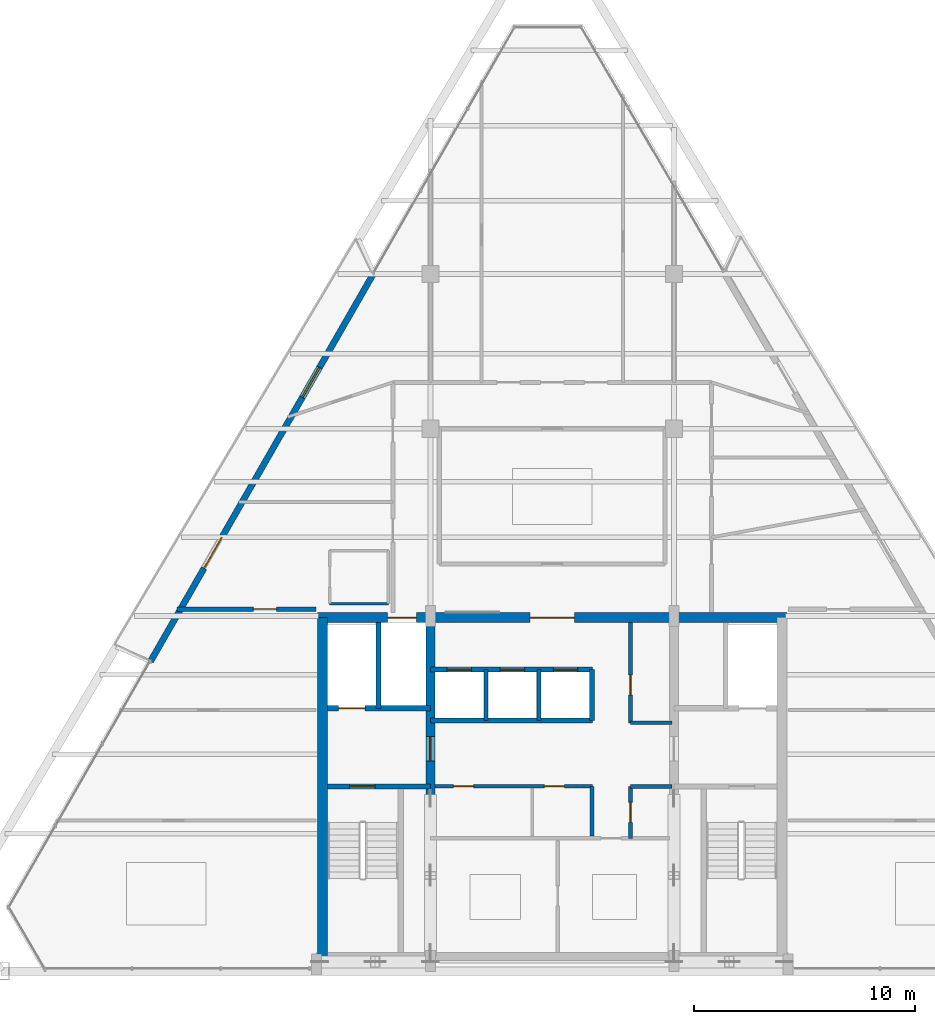
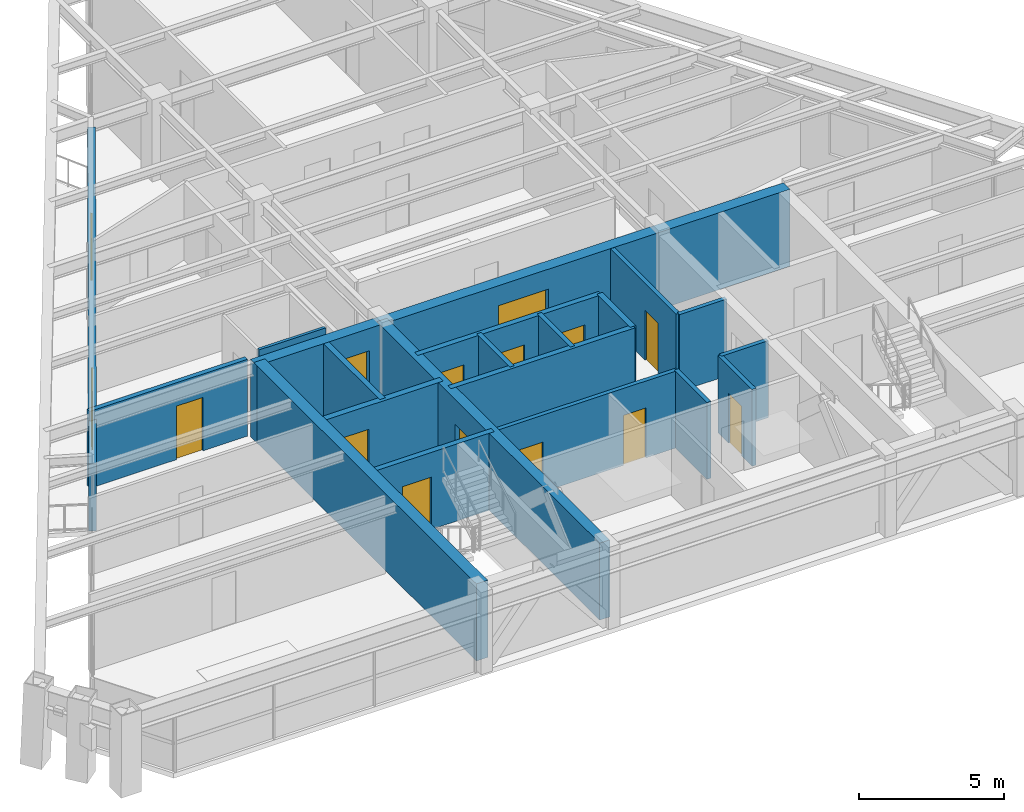
# One storey, part 9 of 13: 20 walls, 14 doors, 1 window, 15 openings.
"""IFC4 building model written with IfcOpenShell, lengths in metres."""

from ifc_helpers import new_model, si_unit, direction, frame, frame_2d, origin, place, context, subcontext, project, spatial, rectangle, extrude, source, transform, mapped, material, layer, layer_set, type_object, type_shapes, element, fill, save


model = new_model("IFC4")

# Units and contexts
model_context = context("Model", 3, precision=1e-05, world=origin(), true_north=direction((0.0, 1.0)))
body_context = subcontext(model_context, "Body", "Model", "MODEL_VIEW")
ifc_project = project(units=[si_unit("LENGTHUNIT", "METRE"), si_unit("AREAUNIT", "SQUARE_METRE"), si_unit("VOLUMEUNIT", "CUBIC_METRE"), si_unit("PLANEANGLEUNIT", "RADIAN"), si_unit("MASSUNIT", "GRAM", prefix="KILO")], contexts=[model_context])

# Site, building, storey
site_placement = place(None, origin())
site = spatial("IfcSite", under=ifc_project, at=site_placement, CompositionType="ELEMENT")
building_placement = place(site_placement, origin())
building = spatial("IfcBuilding", under=site, at=building_placement, Name="Varnakhor Terracotta Tower", CompositionType="ELEMENT")
storey_placement = place(building_placement, frame((0.0, 0.0, 286.800048828125)))
storey = spatial("IfcBuildingStorey", under=building, at=storey_placement, Name="L75", CompositionType="ELEMENT", Elevation=286.800048828125)

# Wall
ifc_material_1 = material(Name="Moisture-Resistant Tile-Backed Partition", Category="gypsum")
ifc_layer_1 = layer(ifc_material_1, 0.114990234375, Name="Moisture-Resistant Tile-Backed Partition")
ifc_layer_set_1 = layer_set([ifc_layer_1], Name="Moisture-Resistant Tile-Backed Partition")
wall_type_1 = type_object("IfcWallType", Name="WAL-BATH-115", PredefinedType="PARTITIONING", material=ifc_layer_set_1)
wall_1_placement = place(storey_placement, frame((-10.050048828125, 16.60009765625, 0.0), z_axis=(0.0, 0.0, 1.0), x_axis=(1.0, 0.0, 0.0)))
element("IfcWall", 1, at=wall_1_placement, inside=storey, type_object=wall_type_1, Name="L75 En-Suite 1 Wall S", PredefinedType="PARTITIONING", context=body_context, shape_type="SweptSolid", body=[
    extrude(rectangle(XDim=2.650146484375, YDim=0.114990234375, at=frame_2d((1.3251953125, 0.0))), origin(), (0.0, 0.0, 1.0), 3.23193359375),
])

# Wall, openings, doors
ifc_material_2 = material(Name="Concrete C50/60", Category="concrete")
ifc_layer_2 = layer(ifc_material_2, 0.449951171875, Name="Concrete C50/60")
ifc_layer_set_2 = layer_set([ifc_layer_2], Name="Concrete C50/60")
wall_type_2 = type_object("IfcWallType", Name="WAL-CORE-450", PredefinedType="SHEAR", material=ifc_layer_set_2)
wall_2_placement = place(storey_placement, frame((-10.60009765625, 15.97509765625, 0.0), z_axis=(0.0, 0.0, 1.0), x_axis=(1.0, 0.0, 0.0)))
wall_2 = element("IfcWall", 2, at=wall_2_placement, inside=storey, type_object=wall_type_2, Name="L75 North Core Shear Wall", PredefinedType="SHEAR", context=body_context, shape_type="SweptSolid", body=[
    extrude(rectangle(XDim=21.2001953125, YDim=0.449951171875, at=frame_2d((10.60009765625, 0.0))), origin(), (0.0, 0.0, 1.0), 3.239990234375),
])
opening_1_placement = place(wall_2_placement, frame((3.169921875, 0.0, 0.0)))
opening_1 = element("IfcOpeningElement", 3, at=opening_1_placement, cuts=wall_2, Name="Opening LD-03", PredefinedType="OPENING", context=body_context, shape_type="SweptSolid", body=[
    extrude(rectangle(XDim=1.300048828125, YDim=2.300048828125, at=frame_2d((0.64990234375, 1.14990234375))), frame((0.0, 0.23486328125, 0.0), z_axis=(0.0, -1.0, 0.0), x_axis=(1.0, 0.0, 0.0)), (0.0, 0.0, 1.0), 0.469970703125),
])
opening_2_placement = place(wall_2_placement, frame((9.60009765625, 0.0, 0.0)))
opening_2 = element("IfcOpeningElement", 4, at=opening_2_placement, cuts=wall_2, Name="Opening DR-32", PredefinedType="OPENING", context=body_context, shape_type="SweptSolid", body=[
    extrude(rectangle(XDim=2.0, YDim=2.39990234375, at=frame_2d((1.0, 1.199951171875))), frame((0.0, 0.23486328125, 0.0), z_axis=(0.0, -1.0, 0.0), x_axis=(1.0, 0.0, 0.0)), (0.0, 0.0, 1.0), 0.469970703125),
])
ifc_material_3 = material(Name="Heavy-Duty Goods Sliding Lift Landing Door", Category="steel")
door_type_1 = type_object("IfcDoorType", Name="LD-SRV-1300X2300", OperationType="NOTDEFINED", PredefinedType="DOOR", material=ifc_material_3)
shared_shape_1 = source(origin(), body_context, "Body", "SweptSolid", [
    extrude(rectangle(XDim=1.300048828125, YDim=2.300048828125, at=frame_2d((0.64990234375, 1.14990234375))), frame((0.0, 0.02490234375, 0.0), z_axis=(0.0, -1.0, 0.0), x_axis=(1.0, 0.0, 0.0)), (0.0, 0.0, 1.0), 0.050048828125),
])
type_shapes(door_type_1, [shared_shape_1])
door_1_placement = place(opening_1_placement, origin())
door_1 = element("IfcDoor", 5, at=door_1_placement, inside=storey, type_object=door_type_1, Name="L75 Service Lift SVL-1 Landing Door", OperationType="SLIDING_TO_RIGHT", OverallHeight=2.300048828125, OverallWidth=1.300048828125, PredefinedType="DOOR", context=body_context, shape_type="MappedRepresentation", body=[
    mapped(shared_shape_1, transform((0.0, 0.0, 0.0), scale=1.0)),
])
fill(opening_1, door_1)
ifc_material_4 = material(Name="Acoustic Double Assembly Fire Door", Category="wood")
door_type_2 = type_object("IfcDoorType", Name="DR-HALL-2000X2400", OperationType="NOTDEFINED", PredefinedType="DOOR", material=ifc_material_4)
shared_shape_2 = source(origin(), body_context, "Body", "SweptSolid", [
    extrude(rectangle(XDim=2.0, YDim=2.39990234375, at=frame_2d((1.0, 1.199951171875))), frame((0.0, 0.02490234375, 0.0), z_axis=(0.0, -1.0, 0.0), x_axis=(1.0, 0.0, 0.0)), (0.0, 0.0, 1.0), 0.050048828125),
])
type_shapes(door_type_2, [shared_shape_2])
door_2_placement = place(opening_2_placement, origin())
door_2 = element("IfcDoor", 6, at=door_2_placement, inside=storey, type_object=door_type_2, Name="L75 Core Main Lobby Double Door", OperationType="DOUBLE_DOOR_SINGLE_SWING", OverallHeight=2.39990234375, OverallWidth=2.0, PredefinedType="DOOR", context=body_context, shape_type="MappedRepresentation", body=[
    mapped(shared_shape_2, transform((0.0, 0.0, 0.0), scale=1.0)),
])
fill(opening_2, door_2)

# Wall
wall_3_placement = place(storey_placement, frame((-10.375, 0.625, 0.0), z_axis=(0.0, 0.0, 1.0), x_axis=(0.0, 1.0, 0.0)))
element("IfcWall", 7, at=wall_3_placement, inside=storey, type_object=wall_type_2, Name="L75 West Core Shear Wall", PredefinedType="SHEAR", context=body_context, shape_type="SweptSolid", body=[
    extrude(rectangle(XDim=15.35009765625, YDim=0.449951171875, at=frame_2d((7.675048828125, 0.0))), origin(), (0.0, 0.0, 1.0), 3.239990234375),
])

# Wall, opening, door
ifc_layer_3 = layer(ifc_material_2, 0.39990234375, Name="Concrete C50/60")
ifc_layer_set_3 = layer_set([ifc_layer_3], Name="Concrete C50/60")
wall_type_3 = type_object("IfcWallType", Name="WAL-CORE-WEB-400", PredefinedType="SHEAR", material=ifc_layer_set_3)
wall_4_placement = place(storey_placement, frame((-5.5, 0.625, 0.0), z_axis=(0.0, 0.0, 1.0), x_axis=(0.0, 1.0, 0.0)))
wall_4 = element("IfcWall", 8, at=wall_4_placement, inside=storey, type_object=wall_type_3, Name="L75 West Core Web Shear Wall", PredefinedType="SHEAR", context=body_context, shape_type="SweptSolid", body=[
    extrude(rectangle(XDim=15.35009765625, YDim=0.39990234375, at=frame_2d((7.675048828125, 0.0))), origin(), (0.0, 0.0, 1.0), 3.239990234375),
])
opening_3_placement = place(wall_4_placement, frame((8.875, 0.0, 0.0)))
opening_3 = element("IfcOpeningElement", 9, at=opening_3_placement, cuts=wall_4, Name="Opening DR-25", PredefinedType="OPENING", context=body_context, shape_type="SweptSolid", body=[
    extrude(rectangle(XDim=1.10009765625, YDim=2.199951171875, at=frame_2d((0.550048828125, 1.10009765625))), frame((0.0, 0.2099609375, 0.0), z_axis=(0.0, -1.0, 0.0), x_axis=(1.0, 0.0, 0.0)), (0.0, 0.0, 1.0), 0.419921875),
])
ifc_material_5 = material(Name="Firefighting Lobby Self-Closing Fire Door", Category="steel")
door_type_3 = type_object("IfcDoorType", Name="DR-FFL-1100X2200", OperationType="NOTDEFINED", PredefinedType="DOOR", material=ifc_material_5)
shared_shape_3 = source(origin(), body_context, "Body", "SweptSolid", [
    extrude(rectangle(XDim=1.10009765625, YDim=2.199951171875, at=frame_2d((0.550048828125, 1.10009765625))), frame((0.0, 0.02490234375, 0.0), z_axis=(0.0, -1.0, 0.0), x_axis=(1.0, 0.0, 0.0)), (0.0, 0.0, 1.0), 0.050048828125),
])
type_shapes(door_type_3, [shared_shape_3])
door_3_placement = place(opening_3_placement, origin())
door_3 = element("IfcDoor", 10, at=door_3_placement, inside=storey, type_object=door_type_3, Name="L75 West Firefighting Lobby Door", OperationType="SINGLE_SWING_LEFT", OverallHeight=2.199951171875, OverallWidth=1.10009765625, PredefinedType="DOOR", context=body_context, shape_type="MappedRepresentation", body=[
    mapped(shared_shape_3, transform((0.0, 0.0, 0.0), scale=1.0)),
])
fill(opening_3, door_3)

ifc_material_6 = material(Name="Fire-Rated Gypsum Stud Partition", Category="gypsum")
ifc_layer_4 = layer(ifc_material_6, 0.18505859375, Name="Fire-Rated Gypsum Stud Partition")
ifc_layer_set_4 = layer_set([ifc_layer_4], Name="Fire-Rated Gypsum Stud Partition")
wall_type_4 = type_object("IfcWallType", Name="WAL-CORR-185", PredefinedType="PARTITIONING", material=ifc_layer_set_4)
wall_5_placement = place(storey_placement, frame((-16.943115234375, 16.35009765625, 0.0), z_axis=(0.0, 0.0, 1.0), x_axis=(1.0, 0.0, 0.0)))
wall_5 = element("IfcWall", 11, at=wall_5_placement, inside=storey, type_object=wall_type_4, Name="L75 South West Guest Entry Wall", PredefinedType="PARTITIONING", context=body_context, shape_type="SweptSolid", body=[
    extrude(rectangle(XDim=6.26318359375, YDim=0.18505859375, at=frame_2d((3.131591796875, 0.0))), origin(), (0.0, 0.0, 1.0), 3.23193359375),
])
opening_4_placement = place(wall_5_placement, frame((3.444091796875, 0.0, 0.0)))
opening_4 = element("IfcOpeningElement", 12, at=opening_4_placement, cuts=wall_5, Name="Opening DR-95", PredefinedType="OPENING", context=body_context, shape_type="SweptSolid", body=[
    extrude(rectangle(XDim=1.050048828125, YDim=2.25, at=frame_2d((0.52490234375, 1.125))), frame((0.0, 0.1025390625, 0.0), z_axis=(0.0, -1.0, 0.0), x_axis=(1.0, 0.0, 0.0)), (0.0, 0.0, 1.0), 0.205078125),
])
ifc_material_7 = material(Name="Solid-Core Timber Tenant/Hotel Entrance Door", Category="wood")
door_type_4 = type_object("IfcDoorType", Name="DR-SUITE-1050X2250", OperationType="NOTDEFINED", PredefinedType="DOOR", material=ifc_material_7)
shared_shape_4 = source(origin(), body_context, "Body", "SweptSolid", [
    extrude(rectangle(XDim=1.050048828125, YDim=2.25, at=frame_2d((0.52490234375, 1.125))), frame((0.0, 0.02490234375, 0.0), z_axis=(0.0, -1.0, 0.0), x_axis=(1.0, 0.0, 0.0)), (0.0, 0.0, 1.0), 0.050048828125),
])
type_shapes(door_type_4, [shared_shape_4])
door_4_placement = place(opening_4_placement, origin())
door_4 = element("IfcDoor", 13, at=door_4_placement, inside=storey, type_object=door_type_4, Name="L75 SW Suite Entry Door", OperationType="SINGLE_SWING_RIGHT", OverallHeight=2.25, OverallWidth=1.050048828125, PredefinedType="DOOR", context=body_context, shape_type="MappedRepresentation", body=[
    mapped(shared_shape_4, transform((0.0, 0.0, 0.0), scale=1.0)),
])
fill(opening_4, door_4)

# Wall, openings, door, window
ifc_material_8 = material(Name="Extruded Architectural Terracotta Assembly", Category="masonry")
ifc_layer_5 = layer(ifc_material_8, 0.280029296875, Name="Extruded Architectural Terracotta Assembly")
ifc_layer_set_5 = layer_set([ifc_layer_5], Name="Extruded Architectural Terracotta Assembly")
wall_type_5 = type_object("IfcWallType", Name="WAL-EXT-TERRACOTTA-280", PredefinedType="SOLIDWALL", material=ifc_layer_set_5)
wall_6_placement = place(storey_placement, frame((-18.1484375, 13.993408203125, 0.0), z_axis=(0.0, 0.0, 1.0), x_axis=(0.498516004102, 0.866880495601, 0.0)))
wall_6 = element("IfcWall", 14, at=wall_6_placement, inside=storey, type_object=wall_type_5, Name="L75 W Loggia Insulated Terracotta Wall", PredefinedType="SOLIDWALL", context=body_context, shape_type="SweptSolid", body=[
    extrude(rectangle(XDim=20.236328125, YDim=0.280029296875, at=frame_2d((10.1181640625, 0.0))), origin(), (0.0, 0.0, 1.0), 2.820068359375),
])
opening_5_placement = place(wall_6_placement, frame((4.856689453125, 0.0, 0.0)))
opening_5 = element("IfcOpeningElement", 15, at=opening_5_placement, cuts=wall_6, Name="Opening DR-62", PredefinedType="OPENING", context=body_context, shape_type="SweptSolid", body=[
    extrude(rectangle(XDim=1.60009765625, YDim=2.35009765625, at=frame_2d((0.800048828125, 1.175048828125))), frame((0.0, 0.14990234375, 0.0), z_axis=(0.0, -1.0, 0.0), x_axis=(1.0, 0.0, 0.0)), (0.0, 0.0, 1.0), 0.300048828125),
])
opening_6_placement = place(wall_6_placement, frame((13.760986328125, 0.0, 0.89990234375)))
opening_6 = element("IfcOpeningElement", 16, at=opening_6_placement, cuts=wall_6, Name="Opening WN-59", PredefinedType="OPENING", context=body_context, shape_type="SweptSolid", body=[
    extrude(rectangle(XDim=1.550048828125, YDim=1.75, at=frame_2d((0.77490234375, 0.875))), frame((0.0, 0.14990234375, 0.0), z_axis=(0.0, -1.0, 0.0), x_axis=(1.0, 0.0, 0.0)), (0.0, 0.0, 1.0), 0.300048828125),
])
ifc_material_9 = material(Name="Thermally Broken Sliding Glass Loggia Door", Category="glass")
door_type_5 = type_object("IfcDoorType", Name="DR-EXT-LOGGIA-1600X2350", OperationType="NOTDEFINED", PredefinedType="DOOR", material=ifc_material_9)
shared_shape_5 = source(origin(), body_context, "Body", "SweptSolid", [
    extrude(rectangle(XDim=1.60009765625, YDim=2.35009765625, at=frame_2d((0.800048828125, 1.175048828125))), frame((0.0, 0.02490234375, 0.0), z_axis=(0.0, -1.0, 0.0), x_axis=(1.0, 0.0, 0.0)), (0.0, 0.0, 1.0), 0.050048828125),
])
type_shapes(door_type_5, [shared_shape_5])
door_5_placement = place(opening_5_placement, origin())
door_5 = element("IfcDoor", 17, at=door_5_placement, inside=storey, type_object=door_type_5, Name="L75 W Recessed Loggia Sliding Door", OperationType="SLIDING_TO_LEFT", OverallHeight=2.35009765625, OverallWidth=1.60009765625, PredefinedType="DOOR", context=body_context, shape_type="MappedRepresentation", body=[
    mapped(shared_shape_5, transform((0.0, 0.0, 0.0), scale=1.0)),
])
fill(opening_5, door_5)
ifc_material_10 = material(Name="Solar-Control Low-E Insulated Glass Unit", Category="glass")
window_type = type_object("IfcWindowType", Name="WIN-HTL-1500X1950", PartitioningType="SINGLE_PANEL", PredefinedType="WINDOW", material=ifc_material_10)
shared_shape_6 = source(origin(), body_context, "Body", "SweptSolid", [
    extrude(rectangle(XDim=1.550048828125, YDim=1.75, at=frame_2d((0.77490234375, 0.875))), frame((0.0, 0.030029296875, 0.0), z_axis=(0.0, -1.0, 0.0), x_axis=(1.0, 0.0, 0.0)), (0.0, 0.0, 1.0), 0.06005859375),
])
type_shapes(window_type, [shared_shape_6])
window_placement = place(opening_6_placement, origin())
window = element("IfcWindow", 18, at=window_placement, inside=storey, type_object=window_type, Name="L75 W Facet Punched Window", OverallHeight=1.75, OverallWidth=1.550048828125, PartitioningType="SINGLE_PANEL", PredefinedType="WINDOW", context=body_context, shape_type="MappedRepresentation", body=[
    mapped(shared_shape_6, transform((0.0, 0.0, 0.0), scale=1.0)),
])
fill(opening_6, window)

# Wall, opening, door
ifc_material_11 = material(Name="Concrete C40/50", Category="concrete")
ifc_layer_6 = layer(ifc_material_11, 0.219970703125, Name="Concrete C40/50")
ifc_layer_set_6 = layer_set([ifc_layer_6], Name="Concrete C40/50")
wall_type_6 = type_object("IfcWallType", Name="WAL-FFLOBBY-220", PredefinedType="SOLIDWALL", material=ifc_layer_set_6)
wall_7_placement = place(storey_placement, frame((-5.5, 8.35009765625, 0.0), z_axis=(0.0, 0.0, 1.0), x_axis=(-1.0, 0.0, 0.0)))
wall_7 = element("IfcWall", 19, at=wall_7_placement, inside=storey, type_object=wall_type_6, Name="L75 West Firefighting Lobby Stair Wall", PredefinedType="SOLIDWALL", context=body_context, shape_type="SweptSolid", body=[
    extrude(rectangle(XDim=4.64990234375, YDim=0.219970703125, at=frame_2d((2.324951171875, 0.0))), origin(), (0.0, 0.0, 1.0), 3.239990234375),
])
opening_7_placement = place(wall_7_placement, frame((2.5, 0.0, 0.0)))
opening_7 = element("IfcOpeningElement", 20, at=opening_7_placement, cuts=wall_7, Name="Opening DR-34", PredefinedType="OPENING", context=body_context, shape_type="SweptSolid", body=[
    extrude(rectangle(XDim=1.14990234375, YDim=2.199951171875, at=frame_2d((0.574951171875, 1.10009765625))), frame((0.0, 0.1201171875, 0.0), z_axis=(0.0, -1.0, 0.0), x_axis=(1.0, 0.0, 0.0)), (0.0, 0.0, 1.0), 0.239990234375),
])
ifc_material_12 = material(Name="Self-Closing Smoke-Sealed Steel Fire Door", Category="steel")
door_type_6 = type_object("IfcDoorType", Name="DR-STAIR-1150X2200", OperationType="NOTDEFINED", PredefinedType="DOOR", material=ifc_material_12)
shared_shape_7 = source(origin(), body_context, "Body", "SweptSolid", [
    extrude(rectangle(XDim=1.14990234375, YDim=2.199951171875, at=frame_2d((0.574951171875, 1.10009765625))), frame((0.0, 0.02490234375, 0.0), z_axis=(0.0, -1.0, 0.0), x_axis=(1.0, 0.0, 0.0)), (0.0, 0.0, 1.0), 0.050048828125),
])
type_shapes(door_type_6, [shared_shape_7])
door_6_placement = place(opening_7_placement, origin())
door_6 = element("IfcDoor", 21, at=door_6_placement, inside=storey, type_object=door_type_6, Name="L75 Exit Stair ST-1 Fire Door", OperationType="SINGLE_SWING_RIGHT", OverallHeight=2.199951171875, OverallWidth=1.14990234375, PredefinedType="DOOR", context=body_context, shape_type="MappedRepresentation", body=[
    mapped(shared_shape_7, transform((0.0, 0.0, 0.0), scale=1.0)),
])
fill(opening_7, door_6)

# Walls
ifc_layer_7 = layer(ifc_material_11, 0.179931640625, Name="Concrete C40/50")
ifc_layer_set_7 = layer_set([ifc_layer_7], Name="Concrete C40/50")
wall_type_7 = type_object("IfcWallType", Name="WAL-SHAFT-180", PredefinedType="SOLIDWALL", material=ifc_layer_set_7)
for number, where, z_axis, x_axis, name in (
    (22, (-3.0, 11.320068359375, 0.0), (0.0, 0.0, 1.0), (0.0, 1.0, 0.0), "L75 PL-3A Divider"),
    (23, (-0.60009765625, 11.320068359375, 0.0), (0.0, 0.0, 1.0), (0.0, 1.0, 0.0), "L75 PL-3B Divider"),
):
    element("IfcWall", number, at=place(storey_placement, frame(where, z_axis=z_axis, x_axis=x_axis)), inside=storey, type_object=wall_type_7, Name=name, PredefinedType="SOLIDWALL", context=body_context, shape_type="SweptSolid", body=[
        extrude(rectangle(XDim=2.300048828125, YDim=0.179931640625, at=frame_2d((1.14990234375, 0.0))), origin(), (0.0, 0.0, 1.0), 3.239990234375),
    ])
ifc_layer_8 = layer(ifc_material_11, 0.219970703125, Name="Concrete C40/50")
ifc_layer_set_8 = layer_set([ifc_layer_8], Name="Concrete C40/50")
wall_type_8 = type_object("IfcWallType", Name="WAL-SHAFT-220", PredefinedType="SOLIDWALL", material=ifc_layer_set_8)
wall_8_placement = place(storey_placement, frame((-7.840087890625, 11.8701171875, 0.0), z_axis=(0.0, 0.0, 1.0), x_axis=(0.0, 1.0, 0.0)))
element("IfcWall", 24, at=wall_8_placement, inside=storey, type_object=wall_type_8, Name="L75 Lift FFL-1 and SVL-1 Divider Wall", PredefinedType="SOLIDWALL", context=body_context, shape_type="SweptSolid", body=[
    extrude(rectangle(XDim=3.8798828125, YDim=0.219970703125, at=frame_2d((1.93994140625, 0.0))), origin(), (0.0, 0.0, 1.0), 3.239990234375),
])
wall_9_placement = place(storey_placement, frame((-5.5, 11.320068359375, 0.0), z_axis=(0.0, 0.0, 1.0), x_axis=(1.0, 0.0, 0.0)))
element("IfcWall", 25, at=wall_9_placement, inside=storey, type_object=wall_type_8, Name="L75 Bank 3 South Shaft Wall", PredefinedType="SOLIDWALL", context=body_context, shape_type="SweptSolid", body=[
    extrude(rectangle(XDim=7.320068359375, YDim=0.219970703125, at=frame_2d((3.66015625, 0.0))), origin(), (0.0, 0.0, 1.0), 3.239990234375),
])

# Wall, openings, doors
wall_10_placement = place(storey_placement, frame((-5.5, 13.6201171875, 0.0), z_axis=(0.0, 0.0, 1.0), x_axis=(1.0, 0.0, 0.0)))
wall_10 = element("IfcWall", 26, at=wall_10_placement, inside=storey, type_object=wall_type_8, Name="L75 Bank 3 North Shaft Wall", PredefinedType="SOLIDWALL", context=body_context, shape_type="SweptSolid", body=[
    extrude(rectangle(XDim=7.320068359375, YDim=0.219970703125, at=frame_2d((3.66015625, 0.0))), origin(), (0.0, 0.0, 1.0), 3.239990234375),
])
opening_8_placement = place(wall_10_placement, frame((0.75, 0.0, 0.0)))
opening_8 = element("IfcOpeningElement", 27, at=opening_8_placement, cuts=wall_10, Name="Opening LD-01", PredefinedType="OPENING", context=body_context, shape_type="SweptSolid", body=[
    extrude(rectangle(XDim=1.10009765625, YDim=2.199951171875, at=frame_2d((0.550048828125, 1.10009765625))), frame((0.0, 0.1201171875, 0.0), z_axis=(0.0, -1.0, 0.0), x_axis=(1.0, 0.0, 0.0)), (0.0, 0.0, 1.0), 0.239990234375),
])
opening_9_placement = place(wall_10_placement, frame((3.14990234375, 0.0, 0.0)))
opening_9 = element("IfcOpeningElement", 28, at=opening_9_placement, cuts=wall_10, Name="Opening LD-01", PredefinedType="OPENING", context=body_context, shape_type="SweptSolid", body=[
    extrude(rectangle(XDim=1.10009765625, YDim=2.199951171875, at=frame_2d((0.550048828125, 1.10009765625))), frame((0.0, 0.1201171875, 0.0), z_axis=(0.0, -1.0, 0.0), x_axis=(1.0, 0.0, 0.0)), (0.0, 0.0, 1.0), 0.239990234375),
])
opening_10_placement = place(wall_10_placement, frame((5.550048828125, 0.0, 0.0)))
opening_10 = element("IfcOpeningElement", 29, at=opening_10_placement, cuts=wall_10, Name="Opening LD-01", PredefinedType="OPENING", context=body_context, shape_type="SweptSolid", body=[
    extrude(rectangle(XDim=1.10009765625, YDim=2.199951171875, at=frame_2d((0.550048828125, 1.10009765625))), frame((0.0, 0.1201171875, 0.0), z_axis=(0.0, -1.0, 0.0), x_axis=(1.0, 0.0, 0.0)), (0.0, 0.0, 1.0), 0.239990234375),
])
ifc_material_13 = material(Name="Brushed Stainless Steel Sliding Lift Landing Door", Category="steel")
door_type_7 = type_object("IfcDoorType", Name="LD-PASS-1100X2200", OperationType="NOTDEFINED", PredefinedType="DOOR", material=ifc_material_13)
shared_shape_8 = source(origin(), body_context, "Body", "SweptSolid", [
    extrude(rectangle(XDim=1.10009765625, YDim=2.199951171875, at=frame_2d((0.550048828125, 1.10009765625))), frame((0.0, 0.02490234375, 0.0), z_axis=(0.0, -1.0, 0.0), x_axis=(1.0, 0.0, 0.0)), (0.0, 0.0, 1.0), 0.050048828125),
])
type_shapes(door_type_7, [shared_shape_8])
door_7_placement = place(opening_8_placement, origin())
door_7 = element("IfcDoor", 30, at=door_7_placement, inside=storey, type_object=door_type_7, Name="L75 Passenger Lift PL-3A Landing Door", OperationType="SLIDING_TO_RIGHT", OverallHeight=2.199951171875, OverallWidth=1.10009765625, PredefinedType="DOOR", context=body_context, shape_type="MappedRepresentation", body=[
    mapped(shared_shape_8, transform((0.0, 0.0, 0.0), scale=1.0)),
])
fill(opening_8, door_7)
door_8_placement = place(opening_9_placement, origin())
door_8 = element("IfcDoor", 31, at=door_8_placement, inside=storey, type_object=door_type_7, Name="L75 Passenger Lift PL-3B Landing Door", OperationType="SLIDING_TO_RIGHT", OverallHeight=2.199951171875, OverallWidth=1.10009765625, PredefinedType="DOOR", context=body_context, shape_type="MappedRepresentation", body=[
    mapped(shared_shape_8, transform((0.0, 0.0, 0.0), scale=1.0)),
])
fill(opening_9, door_8)
door_9_placement = place(opening_10_placement, origin())
door_9 = element("IfcDoor", 32, at=door_9_placement, inside=storey, type_object=door_type_7, Name="L75 Passenger Lift PL-3C Landing Door", OperationType="SLIDING_TO_RIGHT", OverallHeight=2.199951171875, OverallWidth=1.10009765625, PredefinedType="DOOR", context=body_context, shape_type="MappedRepresentation", body=[
    mapped(shared_shape_8, transform((0.0, 0.0, 0.0), scale=1.0)),
])
fill(opening_10, door_9)

# Wall
wall_11_placement = place(storey_placement, frame((1.800048828125, 11.320068359375, 0.0), z_axis=(0.0, 0.0, 1.0), x_axis=(0.0, 1.0, 0.0)))
element("IfcWall", 33, at=wall_11_placement, inside=storey, type_object=wall_type_8, Name="L75 Bank 3 East Shaft Wall", PredefinedType="SOLIDWALL", context=body_context, shape_type="SweptSolid", body=[
    extrude(rectangle(XDim=2.300048828125, YDim=0.219970703125, at=frame_2d((1.14990234375, 0.0))), origin(), (0.0, 0.0, 1.0), 3.239990234375),
])

# Wall, opening, door
ifc_layer_9 = layer(ifc_material_11, 0.25, Name="Concrete C40/50")
ifc_layer_set_9 = layer_set([ifc_layer_9], Name="Concrete C40/50")
wall_type_9 = type_object("IfcWallType", Name="WAL-SHAFT-250", PredefinedType="SOLIDWALL", material=ifc_layer_set_9)
wall_12_placement = place(storey_placement, frame((-5.5, 11.8701171875, 0.0), z_axis=(0.0, 0.0, 1.0), x_axis=(-1.0, 0.0, 0.0)))
wall_12 = element("IfcWall", 34, at=wall_12_placement, inside=storey, type_object=wall_type_9, Name="L75 Lift FFL-1 Shaft Front Wall", PredefinedType="SOLIDWALL", context=body_context, shape_type="SweptSolid", body=[
    extrude(rectangle(XDim=4.64990234375, YDim=0.25, at=frame_2d((2.324951171875, 0.0))), origin(), (0.0, 0.0, 1.0), 3.239990234375),
])
opening_11_placement = place(wall_12_placement, frame((2.949951171875, 0.0, 0.0)))
opening_11 = element("IfcOpeningElement", 35, at=opening_11_placement, cuts=wall_12, Name="Opening LD-02", PredefinedType="OPENING", context=body_context, shape_type="SweptSolid", body=[
    extrude(rectangle(XDim=1.199951171875, YDim=2.25, at=frame_2d((0.60009765625, 1.125))), frame((0.0, 0.135009765625, 0.0), z_axis=(0.0, -1.0, 0.0), x_axis=(1.0, 0.0, 0.0)), (0.0, 0.0, 1.0), 0.27001953125),
])
ifc_material_14 = material(Name="Firefighting Stretcher Sliding Lift Landing Door", Category="steel")
door_type_8 = type_object("IfcDoorType", Name="LD-FFL-1200X2250", OperationType="NOTDEFINED", PredefinedType="DOOR", material=ifc_material_14)
shared_shape_9 = source(origin(), body_context, "Body", "SweptSolid", [
    extrude(rectangle(XDim=1.199951171875, YDim=2.25, at=frame_2d((0.60009765625, 1.125))), frame((0.0, 0.02490234375, 0.0), z_axis=(0.0, -1.0, 0.0), x_axis=(1.0, 0.0, 0.0)), (0.0, 0.0, 1.0), 0.050048828125),
])
type_shapes(door_type_8, [shared_shape_9])
door_10_placement = place(opening_11_placement, origin())
door_10 = element("IfcDoor", 36, at=door_10_placement, inside=storey, type_object=door_type_8, Name="L75 Firefighting Lift FFL-1 Landing Door", OperationType="SLIDING_TO_LEFT", OverallHeight=2.25, OverallWidth=1.199951171875, PredefinedType="DOOR", context=body_context, shape_type="MappedRepresentation", body=[
    mapped(shared_shape_9, transform((0.0, 0.0, 0.0), scale=1.0)),
])
fill(opening_11, door_10)

ifc_material_15 = material(Name="Acoustic Fire-Rated Partition", Category="gypsum")
ifc_layer_10 = layer(ifc_material_15, 0.1650390625, Name="Acoustic Fire-Rated Partition")
ifc_layer_set_10 = layer_set([ifc_layer_10], Name="Acoustic Fire-Rated Partition")
wall_type_10 = type_object("IfcWallType", Name="WAL-TENANCY-165", PredefinedType="PARTITIONING", material=ifc_layer_set_10)
wall_13_placement = place(storey_placement, frame((3.5400390625, 6.0, 0.0), z_axis=(0.0, 0.0, 1.0), x_axis=(0.0, 1.0, 0.0)))
wall_13 = element("IfcWall", 37, at=wall_13_placement, inside=storey, type_object=wall_type_10, Name="L75 Accessible WC Rated Wall", PredefinedType="PARTITIONING", context=body_context, shape_type="SweptSolid", body=[
    extrude(rectangle(XDim=2.340087890625, YDim=0.1650390625, at=frame_2d((1.169921875, 0.0))), origin(), (0.0, 0.0, 1.0), 3.23193359375),
])
opening_12_placement = place(wall_13_placement, frame((0.719970703125, 0.0, 0.0)))
opening_12 = element("IfcOpeningElement", 38, at=opening_12_placement, cuts=wall_13, Name="Opening DR-67", PredefinedType="OPENING", context=body_context, shape_type="SweptSolid", body=[
    extrude(rectangle(XDim=0.89990234375, YDim=2.10009765625, at=frame_2d((0.449951171875, 1.050048828125))), frame((0.0, 0.092529296875, 0.0), z_axis=(0.0, -1.0, 0.0), x_axis=(1.0, 0.0, 0.0)), (0.0, 0.0, 1.0), 0.18505859375),
])
ifc_material_16 = material(Name="Steel Service Riser Fire Door", Category="steel")
door_type_9 = type_object("IfcDoorType", Name="DR-RISER-900X2100", OperationType="NOTDEFINED", PredefinedType="DOOR", material=ifc_material_16)
shared_shape_10 = source(origin(), body_context, "Body", "SweptSolid", [
    extrude(rectangle(XDim=0.89990234375, YDim=2.10009765625, at=frame_2d((0.449951171875, 1.050048828125))), frame((0.0, 0.02490234375, 0.0), z_axis=(0.0, -1.0, 0.0), x_axis=(1.0, 0.0, 0.0)), (0.0, 0.0, 1.0), 0.050048828125),
])
type_shapes(door_type_9, [shared_shape_10])
door_11_placement = place(opening_12_placement, origin())
door_11 = element("IfcDoor", 39, at=door_11_placement, inside=storey, type_object=door_type_9, Name="L75 Accessible WC Door", OperationType="SINGLE_SWING_RIGHT", OverallHeight=2.10009765625, OverallWidth=0.89990234375, PredefinedType="DOOR", context=body_context, shape_type="MappedRepresentation", body=[
    mapped(shared_shape_10, transform((0.0, 0.0, 0.0), scale=1.0)),
])
fill(opening_12, door_11)

# Wall
wall_14_placement = place(storey_placement, frame((3.5400390625, 8.340087890625, 0.0), z_axis=(0.0, 0.0, 1.0), x_axis=(1.0, 0.0, 0.0)))
element("IfcWall", 40, at=wall_14_placement, inside=storey, type_object=wall_type_10, Name="L75 Accessible WC North Wall", PredefinedType="PARTITIONING", context=body_context, shape_type="SweptSolid", body=[
    extrude(rectangle(XDim=1.8798828125, YDim=0.1650390625, at=frame_2d((0.93994140625, 0.0))), origin(), (0.0, 0.0, 1.0), 3.23193359375),
])

# Wall, openings, doors
wall_15_placement = place(storey_placement, frame((-5.300048828125, 8.35009765625, 0.0), z_axis=(0.0, 0.0, 1.0), x_axis=(1.0, 0.0, 0.0)))
wall_15 = element("IfcWall", 41, at=wall_15_placement, inside=storey, type_object=wall_type_10, Name="L75 Reclaimed Mid-Core North Wall", PredefinedType="PARTITIONING", context=body_context, shape_type="SweptSolid", body=[
    extrude(rectangle(XDim=7.1201171875, YDim=0.1650390625, at=frame_2d((3.56005859375, 0.0))), origin(), (0.0, 0.0, 1.0), 3.23193359375),
])
opening_13_placement = place(wall_15_placement, frame((0.85009765625, 0.0, 0.0)))
opening_13 = element("IfcOpeningElement", 42, at=opening_13_placement, cuts=wall_15, Name="Opening DR-67", PredefinedType="OPENING", context=body_context, shape_type="SweptSolid", body=[
    extrude(rectangle(XDim=0.89990234375, YDim=2.10009765625, at=frame_2d((0.449951171875, 1.050048828125))), frame((0.0, 0.092529296875, 0.0), z_axis=(0.0, -1.0, 0.0), x_axis=(1.0, 0.0, 0.0)), (0.0, 0.0, 1.0), 0.18505859375),
])
opening_14_placement = place(wall_15_placement, frame((4.949951171875, 0.0, 0.0)))
opening_14 = element("IfcOpeningElement", 43, at=opening_14_placement, cuts=wall_15, Name="Opening DR-67", PredefinedType="OPENING", context=body_context, shape_type="SweptSolid", body=[
    extrude(rectangle(XDim=0.89990234375, YDim=2.10009765625, at=frame_2d((0.449951171875, 1.050048828125))), frame((0.0, 0.092529296875, 0.0), z_axis=(0.0, -1.0, 0.0), x_axis=(1.0, 0.0, 0.0)), (0.0, 0.0, 1.0), 0.18505859375),
])
door_12_placement = place(opening_13_placement, origin())
door_12 = element("IfcDoor", 44, at=door_12_placement, inside=storey, type_object=door_type_9, Name="L75 Core West Restroom Door", OperationType="SINGLE_SWING_LEFT", OverallHeight=2.10009765625, OverallWidth=0.89990234375, PredefinedType="DOOR", context=body_context, shape_type="MappedRepresentation", body=[
    mapped(shared_shape_10, transform((0.0, 0.0, 0.0), scale=1.0)),
])
fill(opening_13, door_12)
door_13_placement = place(opening_14_placement, origin())
door_13 = element("IfcDoor", 45, at=door_13_placement, inside=storey, type_object=door_type_9, Name="L75 Core East Restroom Door", OperationType="SINGLE_SWING_RIGHT", OverallHeight=2.10009765625, OverallWidth=0.89990234375, PredefinedType="DOOR", context=body_context, shape_type="MappedRepresentation", body=[
    mapped(shared_shape_10, transform((0.0, 0.0, 0.0), scale=1.0)),
])
fill(opening_14, door_13)

# Wall
wall_16_placement = place(storey_placement, frame((1.800048828125, 6.10009765625, 0.0), z_axis=(0.0, 0.0, 1.0), x_axis=(0.0, 1.0, 0.0)))
element("IfcWall", 46, at=wall_16_placement, inside=storey, type_object=wall_type_10, Name="L75 Reclaimed Mid-Core East Wall", PredefinedType="PARTITIONING", context=body_context, shape_type="SweptSolid", body=[
    extrude(rectangle(XDim=2.25, YDim=0.1650390625, at=frame_2d((1.125, 0.0))), origin(), (0.0, 0.0, 1.0), 3.23193359375),
])

# Wall, opening, door
wall_17_placement = place(storey_placement, frame((3.5400390625, 11.219970703125, 0.0), z_axis=(0.0, 0.0, 1.0), x_axis=(0.0, 1.0, 0.0)))
wall_17 = element("IfcWall", 47, at=wall_17_placement, inside=storey, type_object=wall_type_10, Name="L75 Restroom Corridor Wall", PredefinedType="PARTITIONING", context=body_context, shape_type="SweptSolid", body=[
    extrude(rectangle(XDim=4.530029296875, YDim=0.1650390625, at=frame_2d((2.26513671875, 0.0))), origin(), (0.0, 0.0, 1.0), 3.23193359375),
])
opening_15_placement = place(wall_17_placement, frame((1.25, 0.0, 0.0)))
opening_15 = element("IfcOpeningElement", 48, at=opening_15_placement, cuts=wall_17, Name="Opening DR-67", PredefinedType="OPENING", context=body_context, shape_type="SweptSolid", body=[
    extrude(rectangle(XDim=0.89990234375, YDim=2.10009765625, at=frame_2d((0.449951171875, 1.050048828125))), frame((0.0, 0.092529296875, 0.0), z_axis=(0.0, -1.0, 0.0), x_axis=(1.0, 0.0, 0.0)), (0.0, 0.0, 1.0), 0.18505859375),
])
door_14_placement = place(opening_15_placement, origin())
door_14 = element("IfcDoor", 49, at=door_14_placement, inside=storey, type_object=door_type_9, Name="L75 Female WC Door", OperationType="SINGLE_SWING_LEFT", OverallHeight=2.10009765625, OverallWidth=0.89990234375, PredefinedType="DOOR", context=body_context, shape_type="MappedRepresentation", body=[
    mapped(shared_shape_10, transform((0.0, 0.0, 0.0), scale=1.0)),
])
fill(opening_15, door_14)

# Wall
wall_18_placement = place(storey_placement, frame((3.5400390625, 11.219970703125, 0.0), z_axis=(0.0, 0.0, 1.0), x_axis=(1.0, 0.0, 0.0)))
element("IfcWall", 50, at=wall_18_placement, inside=storey, type_object=wall_type_10, Name="L75 Restroom South Wall", PredefinedType="PARTITIONING", context=body_context, shape_type="SweptSolid", body=[
    extrude(rectangle(XDim=1.8798828125, YDim=0.1650390625, at=frame_2d((0.93994140625, 0.0))), origin(), (0.0, 0.0, 1.0), 3.23193359375),
])

save(model, "model.ifc")
